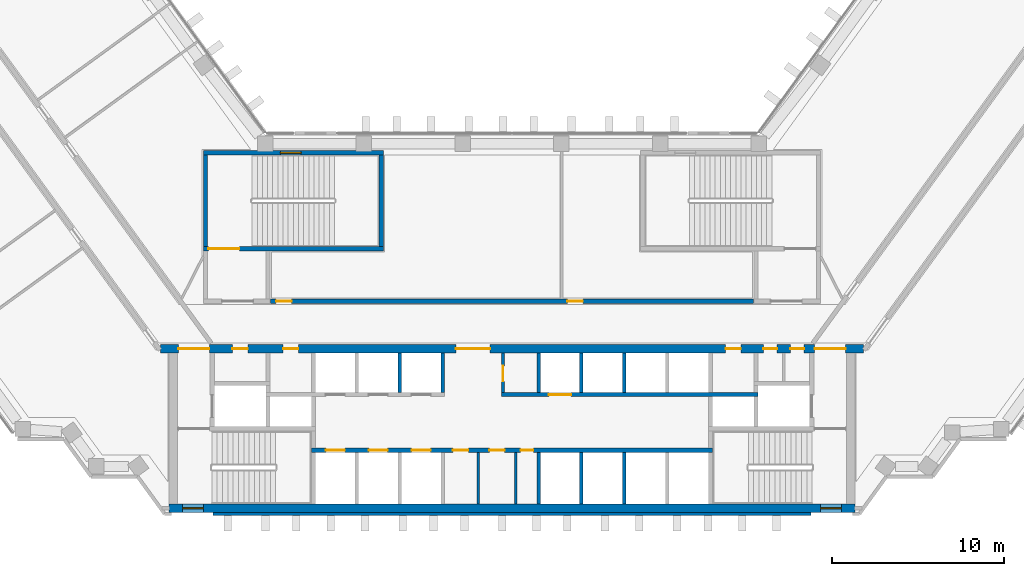
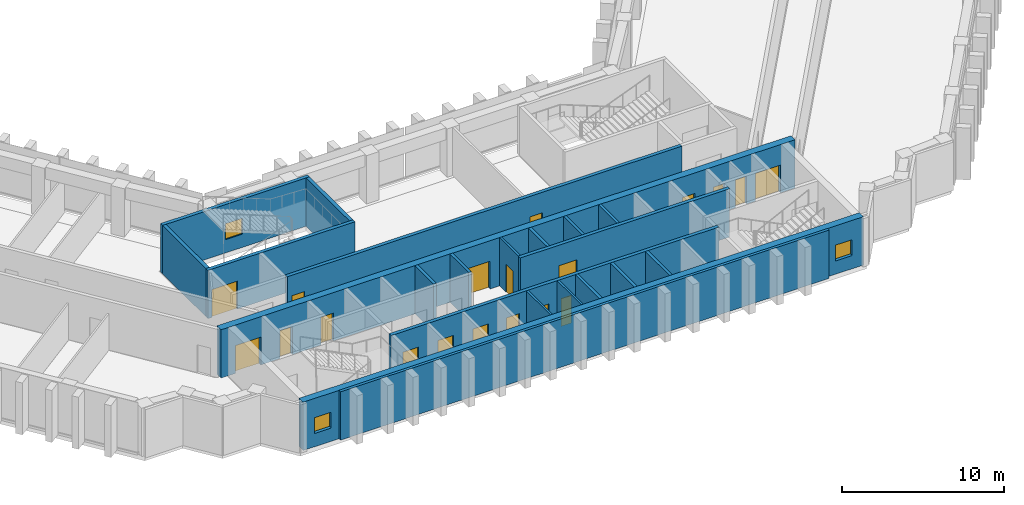
# One storey, part 7 of 13: 21 walls, 19 doors, 3 windows, 22 openings.
"""IFC4 building model written with IfcOpenShell, lengths in metres."""

from ifc_helpers import new_model, si_unit, direction, frame, frame_2d, origin, place, context, subcontext, project, spatial, rectangle, extrude, material, layer, layer_set, type_object, element, fill, save


model = new_model("IFC4")

# Units and contexts
model_context = context("Model", 3, precision=1e-05, world=origin(), true_north=direction((0.0, 1.0)))
body_context = subcontext(model_context, "Body", "Model", "MODEL_VIEW")
ifc_project = project(units=[si_unit("LENGTHUNIT", "METRE"), si_unit("AREAUNIT", "SQUARE_METRE"), si_unit("VOLUMEUNIT", "CUBIC_METRE"), si_unit("PLANEANGLEUNIT", "RADIAN"), si_unit("MASSUNIT", "GRAM", prefix="KILO")], contexts=[model_context])

# Site, building, storey
site_placement = place(None, origin())
site = spatial("IfcSite", under=ifc_project, at=site_placement, CompositionType="ELEMENT")
building_placement = place(site_placement, origin())
building = spatial("IfcBuilding", under=site, at=building_placement, Name="Quipu Civic Tower", CompositionType="ELEMENT")
storey_placement = place(building_placement, frame((0.0, 0.0, 85.0)))
storey = spatial("IfcBuildingStorey", under=building, at=storey_placement, Name="L19", CompositionType="ELEMENT", Elevation=85.0)

# Wall, openings, doors
ifc_material_1 = material(Name="Concrete C70/85", Category="concrete")
ifc_layer_1 = layer(ifc_material_1, 0.25)
ifc_layer_set_1 = layer_set([ifc_layer_1], Name="Concrete C70/85")
wall_type_1 = type_object("IfcWallType", Name="Core wall 250", PredefinedType="SHEAR", material=ifc_layer_set_1)
wall_1_placement = place(storey_placement, frame((11.699951171875, -7.375, 0.0), z_axis=(0.0, 0.0, 1.0), x_axis=(-1.0, 0.0, 0.0)))
wall_1 = element("IfcWall", 1, at=wall_1_placement, inside=storey, type_object=wall_type_1, Name="Core wall", PredefinedType="SHEAR", context=body_context, shape_type="SweptSolid", body=[
    extrude(rectangle(XDim=23.39990234375, YDim=0.25, at=frame_2d((11.699951171875, 0.0))), origin(), (0.0, 0.0, 1.0), 3.64990234375),
])
opening_1_placement = place(wall_1_placement, frame((21.449951171875, 0.0, 0.0)))
opening_1 = element("IfcOpeningElement", 2, at=opening_1_placement, cuts=wall_1, Name="Opening LD-LL1", PredefinedType="OPENING", context=body_context, shape_type="SweptSolid", body=[
    extrude(rectangle(XDim=1.10009765625, YDim=2.10009765625, at=frame_2d((0.550048828125, 1.050048828125))), frame((0.0, 0.135009765625, 0.0), z_axis=(0.0, -1.0, 0.0), x_axis=(1.0, 0.0, 0.0)), (0.0, 0.0, 1.0), 0.27001953125),
])
opening_2_placement = place(wall_1_placement, frame((18.949951171875, 0.0, 0.0)))
opening_2 = element("IfcOpeningElement", 3, at=opening_2_placement, cuts=wall_1, Name="Opening LD-LL2", PredefinedType="OPENING", context=body_context, shape_type="SweptSolid", body=[
    extrude(rectangle(XDim=1.10009765625, YDim=2.10009765625, at=frame_2d((0.550048828125, 1.050048828125))), frame((0.0, 0.135009765625, 0.0), z_axis=(0.0, -1.0, 0.0), x_axis=(1.0, 0.0, 0.0)), (0.0, 0.0, 1.0), 0.27001953125),
])
opening_3_placement = place(wall_1_placement, frame((16.449951171875, 0.0, 0.0)))
opening_3 = element("IfcOpeningElement", 4, at=opening_3_placement, cuts=wall_1, Name="Opening LD-LL3", PredefinedType="OPENING", context=body_context, shape_type="SweptSolid", body=[
    extrude(rectangle(XDim=1.10009765625, YDim=2.10009765625, at=frame_2d((0.550048828125, 1.050048828125))), frame((0.0, 0.135009765625, 0.0), z_axis=(0.0, -1.0, 0.0), x_axis=(1.0, 0.0, 0.0)), (0.0, 0.0, 1.0), 0.27001953125),
])
opening_4_placement = place(wall_1_placement, frame((14.25, 0.0, 0.0)))
opening_4 = element("IfcOpeningElement", 5, at=opening_4_placement, cuts=wall_1, Name="Opening CD-01", PredefinedType="OPENING", context=body_context, shape_type="SweptSolid", body=[
    extrude(rectangle(XDim=0.89990234375, YDim=2.10009765625, at=frame_2d((0.449951171875, 1.050048828125))), frame((0.0, 0.135009765625, 0.0), z_axis=(0.0, -1.0, 0.0), x_axis=(1.0, 0.0, 0.0)), (0.0, 0.0, 1.0), 0.27001953125),
])
opening_5_placement = place(wall_1_placement, frame((12.125, 0.0, 0.0)))
opening_5 = element("IfcOpeningElement", 6, at=opening_5_placement, cuts=wall_1, Name="Opening CD-02", PredefinedType="OPENING", context=body_context, shape_type="SweptSolid", body=[
    extrude(rectangle(XDim=0.89990234375, YDim=2.10009765625, at=frame_2d((0.449951171875, 1.050048828125))), frame((0.0, 0.135009765625, 0.0), z_axis=(0.0, -1.0, 0.0), x_axis=(1.0, 0.0, 0.0)), (0.0, 0.0, 1.0), 0.27001953125),
])
opening_6_placement = place(wall_1_placement, frame((10.449951171875, 0.0, 0.0)))
opening_6 = element("IfcOpeningElement", 7, at=opening_6_placement, cuts=wall_1, Name="Opening CD-03", PredefinedType="OPENING", context=body_context, shape_type="SweptSolid", body=[
    extrude(rectangle(XDim=0.75, YDim=2.10009765625, at=frame_2d((0.375, 1.050048828125))), frame((0.0, 0.135009765625, 0.0), z_axis=(0.0, -1.0, 0.0), x_axis=(1.0, 0.0, 0.0)), (0.0, 0.0, 1.0), 0.27001953125),
])
ifc_material_2 = material(Name="Fire rated steel door", Category="steel")
door_type_1 = type_object("IfcDoorType", Name="Fire door FD60 750 x 2100", OperationType="NOTDEFINED", PredefinedType="DOOR", material=ifc_material_2)
door_1_placement = place(opening_6_placement, origin())
door_1 = element("IfcDoor", 8, at=door_1_placement, inside=storey, type_object=door_type_1, Name="Door", OperationType="SINGLE_SWING_LEFT", OverallHeight=2.10009765625, OverallWidth=0.75, PredefinedType="DOOR", context=body_context, shape_type="SweptSolid", body=[
    extrude(rectangle(XDim=0.75, YDim=2.10009765625, at=frame_2d((0.375, 1.050048828125))), frame((0.0, 0.02490234375, 0.0), z_axis=(0.0, -1.0, 0.0), x_axis=(1.0, 0.0, 0.0)), (0.0, 0.0, 1.0), 0.050048828125),
])
fill(opening_6, door_1)
ifc_material_3 = material(Name="Fire rated steel door", Category="steel")
door_type_2 = type_object("IfcDoorType", Name="Fire door FD60 900 x 2100", OperationType="NOTDEFINED", PredefinedType="DOOR", material=ifc_material_3)
door_2_placement = place(opening_4_placement, origin())
door_2 = element("IfcDoor", 9, at=door_2_placement, inside=storey, type_object=door_type_2, Name="WC door", OperationType="SINGLE_SWING_RIGHT", OverallHeight=2.10009765625, OverallWidth=0.89990234375, PredefinedType="DOOR", context=body_context, shape_type="SweptSolid", body=[
    extrude(rectangle(XDim=0.89990234375, YDim=2.10009765625, at=frame_2d((0.449951171875, 1.050048828125))), frame((0.0, 0.02490234375, 0.0), z_axis=(0.0, -1.0, 0.0), x_axis=(1.0, 0.0, 0.0)), (0.0, 0.0, 1.0), 0.050048828125),
])
fill(opening_4, door_2)
door_3_placement = place(opening_5_placement, origin())
door_3 = element("IfcDoor", 10, at=door_3_placement, inside=storey, type_object=door_type_2, Name="WC door", OperationType="SINGLE_SWING_RIGHT", OverallHeight=2.10009765625, OverallWidth=0.89990234375, PredefinedType="DOOR", context=body_context, shape_type="SweptSolid", body=[
    extrude(rectangle(XDim=0.89990234375, YDim=2.10009765625, at=frame_2d((0.449951171875, 1.050048828125))), frame((0.0, 0.02490234375, 0.0), z_axis=(0.0, -1.0, 0.0), x_axis=(1.0, 0.0, 0.0)), (0.0, 0.0, 1.0), 0.050048828125),
])
fill(opening_5, door_3)
ifc_material_4 = material(Name="Stainless steel", Category="steel")
door_type_3 = type_object("IfcDoorType", Name="Lift landing door 1100 x 2100", OperationType="DOUBLE_DOOR_SLIDING", PredefinedType="DOOR", material=ifc_material_4)
door_4_placement = place(opening_1_placement, origin())
door_4 = element("IfcDoor", 11, at=door_4_placement, inside=storey, type_object=door_type_3, Name="Landing door LL1", OperationType="DOUBLE_DOOR_SLIDING", OverallHeight=2.10009765625, OverallWidth=1.10009765625, PredefinedType="DOOR", context=body_context, shape_type="SweptSolid", body=[
    extrude(rectangle(XDim=1.10009765625, YDim=2.10009765625, at=frame_2d((0.550048828125, 1.050048828125))), frame((0.0, 0.02490234375, 0.0), z_axis=(0.0, -1.0, 0.0), x_axis=(1.0, 0.0, 0.0)), (0.0, 0.0, 1.0), 0.050048828125),
])
fill(opening_1, door_4)
door_5_placement = place(opening_2_placement, origin())
door_5 = element("IfcDoor", 12, at=door_5_placement, inside=storey, type_object=door_type_3, Name="Landing door LL2", OperationType="DOUBLE_DOOR_SLIDING", OverallHeight=2.10009765625, OverallWidth=1.10009765625, PredefinedType="DOOR", context=body_context, shape_type="SweptSolid", body=[
    extrude(rectangle(XDim=1.10009765625, YDim=2.10009765625, at=frame_2d((0.550048828125, 1.050048828125))), frame((0.0, 0.02490234375, 0.0), z_axis=(0.0, -1.0, 0.0), x_axis=(1.0, 0.0, 0.0)), (0.0, 0.0, 1.0), 0.050048828125),
])
fill(opening_2, door_5)
door_6_placement = place(opening_3_placement, origin())
door_6 = element("IfcDoor", 13, at=door_6_placement, inside=storey, type_object=door_type_3, Name="Landing door LL3", OperationType="DOUBLE_DOOR_SLIDING", OverallHeight=2.10009765625, OverallWidth=1.10009765625, PredefinedType="DOOR", context=body_context, shape_type="SweptSolid", body=[
    extrude(rectangle(XDim=1.10009765625, YDim=2.10009765625, at=frame_2d((0.550048828125, 1.050048828125))), frame((0.0, 0.02490234375, 0.0), z_axis=(0.0, -1.0, 0.0), x_axis=(1.0, 0.0, 0.0)), (0.0, 0.0, 1.0), 0.050048828125),
])
fill(opening_3, door_6)

# Wall, opening, door
wall_2_placement = place(storey_placement, frame((-0.60009765625, -4.125, 0.0), z_axis=(0.0, 0.0, 1.0), x_axis=(1.0, 0.0, 0.0)))
wall_2 = element("IfcWall", 14, at=wall_2_placement, inside=storey, type_object=wall_type_1, Name="Core wall", PredefinedType="SHEAR", context=body_context, shape_type="SweptSolid", body=[
    extrude(rectangle(XDim=14.9501953125, YDim=0.25, at=frame_2d((7.47509765625, 0.0))), origin(), (0.0, 0.0, 1.0), 3.64990234375),
])
opening_7_placement = place(wall_2_placement, frame((2.75, 0.0, 0.0)))
opening_7 = element("IfcOpeningElement", 15, at=opening_7_placement, cuts=wall_2, Name="Opening LD-FF3", PredefinedType="OPENING", context=body_context, shape_type="SweptSolid", body=[
    extrude(rectangle(XDim=1.300048828125, YDim=2.10009765625, at=frame_2d((0.64990234375, 1.050048828125))), frame((0.0, 0.135009765625, 0.0), z_axis=(0.0, -1.0, 0.0), x_axis=(1.0, 0.0, 0.0)), (0.0, 0.0, 1.0), 0.27001953125),
])
ifc_material_5 = material(Name="Stainless steel", Category="steel")
door_type_4 = type_object("IfcDoorType", Name="Lift landing door 1300 x 2100", OperationType="DOUBLE_DOOR_SLIDING", PredefinedType="DOOR", material=ifc_material_5)
door_7_placement = place(opening_7_placement, origin())
door_7 = element("IfcDoor", 16, at=door_7_placement, inside=storey, type_object=door_type_4, Name="Landing door FF3", OperationType="DOUBLE_DOOR_SLIDING", OverallHeight=2.10009765625, OverallWidth=1.300048828125, PredefinedType="DOOR", context=body_context, shape_type="SweptSolid", body=[
    extrude(rectangle(XDim=1.300048828125, YDim=2.10009765625, at=frame_2d((0.64990234375, 1.050048828125))), frame((0.0, 0.02490234375, 0.0), z_axis=(0.0, -1.0, 0.0), x_axis=(1.0, 0.0, 0.0)), (0.0, 0.0, 1.0), 0.050048828125),
])
fill(opening_7, door_7)

wall_3_placement = place(storey_placement, frame((-18.0, 4.375, 0.0), z_axis=(0.0, 0.0, 1.0), x_axis=(1.0, 0.0, 0.0)))
wall_3 = element("IfcWall", 17, at=wall_3_placement, inside=storey, type_object=wall_type_1, Name="Core wall", PredefinedType="SHEAR", context=body_context, shape_type="SweptSolid", body=[
    extrude(rectangle(XDim=10.5, YDim=0.25, at=frame_2d((5.25, 0.0))), origin(), (0.0, 0.0, 1.0), 3.64990234375),
])
opening_8_placement = place(wall_3_placement, frame((0.300048828125, 0.0, 0.0)))
opening_8 = element("IfcOpeningElement", 18, at=opening_8_placement, cuts=wall_3, Name="Opening CD-16", PredefinedType="OPENING", context=body_context, shape_type="SweptSolid", body=[
    extrude(rectangle(XDim=1.800048828125, YDim=2.10009765625, at=frame_2d((0.89990234375, 1.050048828125))), frame((0.0, 0.135009765625, 0.0), z_axis=(0.0, -1.0, 0.0), x_axis=(1.0, 0.0, 0.0)), (0.0, 0.0, 1.0), 0.27001953125),
])
ifc_material_6 = material(Name="Fire rated steel door", Category="steel")
door_type_5 = type_object("IfcDoorType", Name="Fire door FD90 double 1800 x 2100", OperationType="NOTDEFINED", PredefinedType="DOOR", material=ifc_material_6)
door_8_placement = place(opening_8_placement, origin())
door_8 = element("IfcDoor", 19, at=door_8_placement, inside=storey, type_object=door_type_5, Name="Door", OperationType="DOUBLE_DOOR_SINGLE_SWING", OverallHeight=2.10009765625, OverallWidth=1.800048828125, PredefinedType="DOOR", context=body_context, shape_type="SweptSolid", body=[
    extrude(rectangle(XDim=1.800048828125, YDim=2.10009765625, at=frame_2d((0.89990234375, 1.050048828125))), frame((0.0, 0.02490234375, 0.0), z_axis=(0.0, -1.0, 0.0), x_axis=(1.0, 0.0, 0.0)), (0.0, 0.0, 1.0), 0.050048828125),
])
fill(opening_8, door_8)

# Walls
for number, where, z_axis, x_axis, name in (
    (20, (-17.875, 4.5, 0.0), (0.0, 0.0, 1.0), (0.0, 1.0, 0.0), "Core wall"),
    (21, (-7.625, 4.5, 0.0), (0.0, 0.0, 1.0), (0.0, 1.0, 0.0), "Core wall"),
):
    element("IfcWall", number, at=place(storey_placement, frame(where, z_axis=z_axis, x_axis=x_axis)), inside=storey, type_object=wall_type_1, Name=name, PredefinedType="SHEAR", context=body_context, shape_type="SweptSolid", body=[
        extrude(rectangle(XDim=5.35009765625, YDim=0.25, at=frame_2d((2.675048828125, 0.0))), origin(), (0.0, 0.0, 1.0), 3.64990234375),
    ])

# Wall, opening, window
wall_4_placement = place(storey_placement, frame((-18.0, 9.97509765625, 0.0), z_axis=(0.0, 0.0, 1.0), x_axis=(1.0, 0.0, 0.0)))
wall_4 = element("IfcWall", 22, at=wall_4_placement, inside=storey, type_object=wall_type_1, Name="Core wall", PredefinedType="SHEAR", context=body_context, shape_type="SweptSolid", body=[
    extrude(rectangle(XDim=10.5, YDim=0.25, at=frame_2d((5.25, 0.0))), origin(), (0.0, 0.0, 1.0), 3.64990234375),
])
opening_9_placement = place(wall_4_placement, frame((4.5, 0.0, 1.0)))
opening_9 = element("IfcOpeningElement", 23, at=opening_9_placement, cuts=wall_4, Name="Opening SV-3", PredefinedType="OPENING", context=body_context, shape_type="SweptSolid", body=[
    extrude(rectangle(XDim=1.199951171875, YDim=1.199951171875, at=frame_2d((0.60009765625, 0.60009765625))), frame((0.0, 0.135009765625, 0.0), z_axis=(0.0, -1.0, 0.0), x_axis=(1.0, 0.0, 0.0)), (0.0, 0.0, 1.0), 0.27001953125),
])
ifc_material_7 = material(Name="Aluminium louvre", Category="aluminium")
window_type = type_object("IfcWindowType", Name="Stair ventilation louvre 1200 x 1200", PartitioningType="SINGLE_PANEL", PredefinedType="WINDOW", material=ifc_material_7)
window_1_placement = place(opening_9_placement, origin())
window_1 = element("IfcWindow", 24, at=window_1_placement, inside=storey, type_object=window_type, Name="Stair ventilation opening", OverallHeight=1.199951171875, OverallWidth=1.199951171875, PartitioningType="SINGLE_PANEL", PredefinedType="WINDOW", context=body_context, shape_type="SweptSolid", body=[
    extrude(rectangle(XDim=1.199951171875, YDim=1.199951171875, at=frame_2d((0.60009765625, 0.60009765625))), frame((0.0, 0.030029296875, 0.0), z_axis=(0.0, -1.0, 0.0), x_axis=(1.0, 0.0, 0.0)), (0.0, 0.0, 1.0), 0.06005859375),
])
fill(opening_9, window_1)

# Wall, openings, windows
ifc_material_8 = material(Name="Concrete C70/85", Category="concrete")
ifc_layer_2 = layer(ifc_material_8, 0.5)
ifc_layer_set_2 = layer_set([ifc_layer_2], Name="Concrete C70/85")
wall_type_2 = type_object("IfcWallType", Name="Core wall 500", PredefinedType="SHEAR", material=ifc_layer_set_2)
wall_5_placement = place(storey_placement, frame((-20.0, -10.75, 0.0), z_axis=(0.0, 0.0, 1.0), x_axis=(1.0, 0.0, 0.0)))
wall_5 = element("IfcWall", 25, at=wall_5_placement, inside=storey, type_object=wall_type_2, Name="Core wall", PredefinedType="SHEAR", context=body_context, shape_type="SweptSolid", body=[
    extrude(rectangle(XDim=40.0, YDim=0.5, at=frame_2d((20.0, 0.0))), origin(), (0.0, 0.0, 1.0), 3.64990234375),
])
opening_10_placement = place(wall_5_placement, frame((0.800048828125, 0.0, 1.0)))
opening_10 = element("IfcOpeningElement", 26, at=opening_10_placement, cuts=wall_5, Name="Opening SV-1", PredefinedType="OPENING", context=body_context, shape_type="SweptSolid", body=[
    extrude(rectangle(XDim=1.199951171875, YDim=1.199951171875, at=frame_2d((0.60009765625, 0.60009765625))), frame((0.0, 0.260009765625, 0.0), z_axis=(0.0, -1.0, 0.0), x_axis=(1.0, 0.0, 0.0)), (0.0, 0.0, 1.0), 0.52001953125),
])
opening_11_placement = place(wall_5_placement, frame((38.0, 0.0, 1.0)))
opening_11 = element("IfcOpeningElement", 27, at=opening_11_placement, cuts=wall_5, Name="Opening SV-2", PredefinedType="OPENING", context=body_context, shape_type="SweptSolid", body=[
    extrude(rectangle(XDim=1.199951171875, YDim=1.199951171875, at=frame_2d((0.60009765625, 0.60009765625))), frame((0.0, 0.260009765625, 0.0), z_axis=(0.0, -1.0, 0.0), x_axis=(1.0, 0.0, 0.0)), (0.0, 0.0, 1.0), 0.52001953125),
])
window_2_placement = place(opening_10_placement, origin())
window_2 = element("IfcWindow", 28, at=window_2_placement, inside=storey, type_object=window_type, Name="Stair ventilation opening", OverallHeight=1.199951171875, OverallWidth=1.199951171875, PartitioningType="SINGLE_PANEL", PredefinedType="WINDOW", context=body_context, shape_type="SweptSolid", body=[
    extrude(rectangle(XDim=1.199951171875, YDim=1.199951171875, at=frame_2d((0.60009765625, 0.60009765625))), frame((0.0, 0.030029296875, 0.0), z_axis=(0.0, -1.0, 0.0), x_axis=(1.0, 0.0, 0.0)), (0.0, 0.0, 1.0), 0.06005859375),
])
fill(opening_10, window_2)
window_3_placement = place(opening_11_placement, origin())
window_3 = element("IfcWindow", 29, at=window_3_placement, inside=storey, type_object=window_type, Name="Stair ventilation opening", OverallHeight=1.199951171875, OverallWidth=1.199951171875, PartitioningType="SINGLE_PANEL", PredefinedType="WINDOW", context=body_context, shape_type="SweptSolid", body=[
    extrude(rectangle(XDim=1.199951171875, YDim=1.199951171875, at=frame_2d((0.60009765625, 0.60009765625))), frame((0.0, 0.030029296875, 0.0), z_axis=(0.0, -1.0, 0.0), x_axis=(1.0, 0.0, 0.0)), (0.0, 0.0, 1.0), 0.06005859375),
])
fill(opening_11, window_3)

# Wall, openings, doors
wall_6_placement = place(storey_placement, frame((20.489990234375, -1.449951171875, 0.0), z_axis=(0.0, 0.0, 1.0), x_axis=(-1.0, 0.0, 0.0)))
wall_6 = element("IfcWall", 30, at=wall_6_placement, inside=storey, type_object=wall_type_2, Name="Core wall", PredefinedType="SHEAR", context=body_context, shape_type="SweptSolid", body=[
    extrude(rectangle(XDim=40.97998046875, YDim=0.5, at=frame_2d((20.489990234375, 0.0))), origin(), (0.0, 0.0, 1.0), 3.64990234375),
])
opening_12_placement = place(wall_6_placement, frame((38.139892578125, 0.0, 0.0)))
opening_12 = element("IfcOpeningElement", 31, at=opening_12_placement, cuts=wall_6, Name="Opening CD-07", PredefinedType="OPENING", context=body_context, shape_type="SweptSolid", body=[
    extrude(rectangle(XDim=1.800048828125, YDim=2.10009765625, at=frame_2d((0.89990234375, 1.050048828125))), frame((0.0, 0.260009765625, 0.0), z_axis=(0.0, -1.0, 0.0), x_axis=(1.0, 0.0, 0.0)), (0.0, 0.0, 1.0), 0.52001953125),
])
opening_13_placement = place(wall_6_placement, frame((35.889892578125, 0.0, 0.0)))
opening_13 = element("IfcOpeningElement", 32, at=opening_13_placement, cuts=wall_6, Name="Opening CD-08", PredefinedType="OPENING", context=body_context, shape_type="SweptSolid", body=[
    extrude(rectangle(XDim=0.89990234375, YDim=2.10009765625, at=frame_2d((0.449951171875, 1.050048828125))), frame((0.0, 0.260009765625, 0.0), z_axis=(0.0, -1.0, 0.0), x_axis=(1.0, 0.0, 0.0)), (0.0, 0.0, 1.0), 0.52001953125),
])
opening_14_placement = place(wall_6_placement, frame((32.93994140625, 0.0, 0.0)))
opening_14 = element("IfcOpeningElement", 33, at=opening_14_placement, cuts=wall_6, Name="Opening CD-09", PredefinedType="OPENING", context=body_context, shape_type="SweptSolid", body=[
    extrude(rectangle(XDim=0.89990234375, YDim=2.10009765625, at=frame_2d((0.449951171875, 1.050048828125))), frame((0.0, 0.260009765625, 0.0), z_axis=(0.0, -1.0, 0.0), x_axis=(1.0, 0.0, 0.0)), (0.0, 0.0, 1.0), 0.52001953125),
])
opening_15_placement = place(wall_6_placement, frame((21.764892578125, 0.0, 0.0)))
opening_15 = element("IfcOpeningElement", 34, at=opening_15_placement, cuts=wall_6, Name="Opening CD-10", PredefinedType="OPENING", context=body_context, shape_type="SweptSolid", body=[
    extrude(rectangle(XDim=2.0, YDim=2.10009765625, at=frame_2d((1.0, 1.050048828125))), frame((0.0, 0.260009765625, 0.0), z_axis=(0.0, -1.0, 0.0), x_axis=(1.0, 0.0, 0.0)), (0.0, 0.0, 1.0), 0.52001953125),
])
opening_16_placement = place(wall_6_placement, frame((7.139892578125, 0.0, 0.0)))
opening_16 = element("IfcOpeningElement", 35, at=opening_16_placement, cuts=wall_6, Name="Opening CD-11", PredefinedType="OPENING", context=body_context, shape_type="SweptSolid", body=[
    extrude(rectangle(XDim=0.89990234375, YDim=2.10009765625, at=frame_2d((0.449951171875, 1.050048828125))), frame((0.0, 0.260009765625, 0.0), z_axis=(0.0, -1.0, 0.0), x_axis=(1.0, 0.0, 0.0)), (0.0, 0.0, 1.0), 0.52001953125),
])
opening_17_placement = place(wall_6_placement, frame((5.027587890625, 0.0, 0.0)))
opening_17 = element("IfcOpeningElement", 36, at=opening_17_placement, cuts=wall_6, Name="Opening CD-12", PredefinedType="OPENING", context=body_context, shape_type="SweptSolid", body=[
    extrude(rectangle(XDim=0.800048828125, YDim=2.10009765625, at=frame_2d((0.39990234375, 1.050048828125))), frame((0.0, 0.260009765625, 0.0), z_axis=(0.0, -1.0, 0.0), x_axis=(1.0, 0.0, 0.0)), (0.0, 0.0, 1.0), 0.52001953125),
])
opening_18_placement = place(wall_6_placement, frame((3.452392578125, 0.0, 0.0)))
opening_18 = element("IfcOpeningElement", 37, at=opening_18_placement, cuts=wall_6, Name="Opening CD-13", PredefinedType="OPENING", context=body_context, shape_type="SweptSolid", body=[
    extrude(rectangle(XDim=0.800048828125, YDim=2.10009765625, at=frame_2d((0.39990234375, 1.050048828125))), frame((0.0, 0.260009765625, 0.0), z_axis=(0.0, -1.0, 0.0), x_axis=(1.0, 0.0, 0.0)), (0.0, 0.0, 1.0), 0.52001953125),
])
opening_19_placement = place(wall_6_placement, frame((1.0400390625, 0.0, 0.0)))
opening_19 = element("IfcOpeningElement", 38, at=opening_19_placement, cuts=wall_6, Name="Opening CD-14", PredefinedType="OPENING", context=body_context, shape_type="SweptSolid", body=[
    extrude(rectangle(XDim=1.800048828125, YDim=2.10009765625, at=frame_2d((0.89990234375, 1.050048828125))), frame((0.0, 0.260009765625, 0.0), z_axis=(0.0, -1.0, 0.0), x_axis=(1.0, 0.0, 0.0)), (0.0, 0.0, 1.0), 0.52001953125),
])
ifc_material_9 = material(Name="Fire rated steel door", Category="steel")
door_type_6 = type_object("IfcDoorType", Name="Fire door FD60 800 x 2100", OperationType="NOTDEFINED", PredefinedType="DOOR", material=ifc_material_9)
door_9_placement = place(opening_17_placement, origin())
door_9 = element("IfcDoor", 39, at=door_9_placement, inside=storey, type_object=door_type_6, Name="Door", OperationType="SINGLE_SWING_LEFT", OverallHeight=2.10009765625, OverallWidth=0.800048828125, PredefinedType="DOOR", context=body_context, shape_type="SweptSolid", body=[
    extrude(rectangle(XDim=0.800048828125, YDim=2.10009765625, at=frame_2d((0.39990234375, 1.050048828125))), frame((0.0, 0.02490234375, 0.0), z_axis=(0.0, -1.0, 0.0), x_axis=(1.0, 0.0, 0.0)), (0.0, 0.0, 1.0), 0.050048828125),
])
fill(opening_17, door_9)
door_10_placement = place(opening_18_placement, origin())
door_10 = element("IfcDoor", 40, at=door_10_placement, inside=storey, type_object=door_type_6, Name="Door", OperationType="SINGLE_SWING_LEFT", OverallHeight=2.10009765625, OverallWidth=0.800048828125, PredefinedType="DOOR", context=body_context, shape_type="SweptSolid", body=[
    extrude(rectangle(XDim=0.800048828125, YDim=2.10009765625, at=frame_2d((0.39990234375, 1.050048828125))), frame((0.0, 0.02490234375, 0.0), z_axis=(0.0, -1.0, 0.0), x_axis=(1.0, 0.0, 0.0)), (0.0, 0.0, 1.0), 0.050048828125),
])
fill(opening_18, door_10)
door_11_placement = place(opening_13_placement, origin())
door_11 = element("IfcDoor", 41, at=door_11_placement, inside=storey, type_object=door_type_2, Name="Door", OperationType="SINGLE_SWING_RIGHT", OverallHeight=2.10009765625, OverallWidth=0.89990234375, PredefinedType="DOOR", context=body_context, shape_type="SweptSolid", body=[
    extrude(rectangle(XDim=0.89990234375, YDim=2.10009765625, at=frame_2d((0.449951171875, 1.050048828125))), frame((0.0, 0.02490234375, 0.0), z_axis=(0.0, -1.0, 0.0), x_axis=(1.0, 0.0, 0.0)), (0.0, 0.0, 1.0), 0.050048828125),
])
fill(opening_13, door_11)
door_12_placement = place(opening_14_placement, origin())
door_12 = element("IfcDoor", 42, at=door_12_placement, inside=storey, type_object=door_type_2, Name="Riser door", OperationType="SINGLE_SWING_RIGHT", OverallHeight=2.10009765625, OverallWidth=0.89990234375, PredefinedType="DOOR", context=body_context, shape_type="SweptSolid", body=[
    extrude(rectangle(XDim=0.89990234375, YDim=2.10009765625, at=frame_2d((0.449951171875, 1.050048828125))), frame((0.0, 0.02490234375, 0.0), z_axis=(0.0, -1.0, 0.0), x_axis=(1.0, 0.0, 0.0)), (0.0, 0.0, 1.0), 0.050048828125),
])
fill(opening_14, door_12)
door_13_placement = place(opening_16_placement, origin())
door_13 = element("IfcDoor", 43, at=door_13_placement, inside=storey, type_object=door_type_2, Name="Riser door", OperationType="SINGLE_SWING_LEFT", OverallHeight=2.10009765625, OverallWidth=0.89990234375, PredefinedType="DOOR", context=body_context, shape_type="SweptSolid", body=[
    extrude(rectangle(XDim=0.89990234375, YDim=2.10009765625, at=frame_2d((0.449951171875, 1.050048828125))), frame((0.0, 0.02490234375, 0.0), z_axis=(0.0, -1.0, 0.0), x_axis=(1.0, 0.0, 0.0)), (0.0, 0.0, 1.0), 0.050048828125),
])
fill(opening_16, door_13)
door_14_placement = place(opening_12_placement, origin())
door_14 = element("IfcDoor", 44, at=door_14_placement, inside=storey, type_object=door_type_5, Name="Lobby door", OperationType="DOUBLE_DOOR_SINGLE_SWING", OverallHeight=2.10009765625, OverallWidth=1.800048828125, PredefinedType="DOOR", context=body_context, shape_type="SweptSolid", body=[
    extrude(rectangle(XDim=1.800048828125, YDim=2.10009765625, at=frame_2d((0.89990234375, 1.050048828125))), frame((0.0, 0.02490234375, 0.0), z_axis=(0.0, -1.0, 0.0), x_axis=(1.0, 0.0, 0.0)), (0.0, 0.0, 1.0), 0.050048828125),
])
fill(opening_12, door_14)
door_15_placement = place(opening_19_placement, origin())
door_15 = element("IfcDoor", 45, at=door_15_placement, inside=storey, type_object=door_type_5, Name="Lobby door", OperationType="DOUBLE_DOOR_SINGLE_SWING", OverallHeight=2.10009765625, OverallWidth=1.800048828125, PredefinedType="DOOR", context=body_context, shape_type="SweptSolid", body=[
    extrude(rectangle(XDim=1.800048828125, YDim=2.10009765625, at=frame_2d((0.89990234375, 1.050048828125))), frame((0.0, 0.02490234375, 0.0), z_axis=(0.0, -1.0, 0.0), x_axis=(1.0, 0.0, 0.0)), (0.0, 0.0, 1.0), 0.050048828125),
])
fill(opening_19, door_15)
ifc_material_10 = material(Name="Fire rated steel door", Category="steel")
door_type_7 = type_object("IfcDoorType", Name="Fire door FD90 double 2000 x 2100", OperationType="NOTDEFINED", PredefinedType="DOOR", material=ifc_material_10)
door_16_placement = place(opening_15_placement, origin())
door_16 = element("IfcDoor", 46, at=door_16_placement, inside=storey, type_object=door_type_7, Name="Lobby door", OperationType="DOUBLE_DOOR_SINGLE_SWING", OverallHeight=2.10009765625, OverallWidth=2.0, PredefinedType="DOOR", context=body_context, shape_type="SweptSolid", body=[
    extrude(rectangle(XDim=2.0, YDim=2.10009765625, at=frame_2d((1.0, 1.050048828125))), frame((0.0, 0.02490234375, 0.0), z_axis=(0.0, -1.0, 0.0), x_axis=(1.0, 0.0, 0.0)), (0.0, 0.0, 1.0), 0.050048828125),
])
fill(opening_15, door_16)

ifc_material_11 = material(Name="Concrete C50/60", Category="concrete")
ifc_layer_3 = layer(ifc_material_11, 0.25)
ifc_layer_set_3 = layer_set([ifc_layer_3], Name="Concrete C50/60")
wall_type_3 = type_object("IfcWallType", Name="Corridor wall 250 concrete", PredefinedType="SOLIDWALL", material=ifc_layer_set_3)
wall_7_placement = place(storey_placement, frame((-14.090087890625, 1.324951171875, 0.0), z_axis=(0.0, 0.0, 1.0), x_axis=(1.0, 0.0, 0.0)))
wall_7 = element("IfcWall", 47, at=wall_7_placement, inside=storey, type_object=wall_type_3, Name="Corridor wall C04", PredefinedType="SOLIDWALL", context=body_context, shape_type="SweptSolid", body=[
    extrude(rectangle(XDim=28.18017578125, YDim=0.25, at=frame_2d((14.090087890625, 0.0))), origin(), (0.0, 0.0, 1.0), 3.64990234375),
])
opening_20_placement = place(wall_7_placement, frame((17.319091796875, 0.0, 0.0)))
opening_20 = element("IfcOpeningElement", 48, at=opening_20_placement, cuts=wall_7, Name="Opening D007", PredefinedType="OPENING", context=body_context, shape_type="SweptSolid", body=[
    extrude(rectangle(XDim=0.89990234375, YDim=2.10009765625, at=frame_2d((0.449951171875, 1.050048828125))), frame((0.0, 0.135009765625, 0.0), z_axis=(0.0, -1.0, 0.0), x_axis=(1.0, 0.0, 0.0)), (0.0, 0.0, 1.0), 0.27001953125),
])
opening_21_placement = place(wall_7_placement, frame((0.340087890625, 0.0, 0.0)))
opening_21 = element("IfcOpeningElement", 49, at=opening_21_placement, cuts=wall_7, Name="Opening D006", PredefinedType="OPENING", context=body_context, shape_type="SweptSolid", body=[
    extrude(rectangle(XDim=0.89990234375, YDim=2.10009765625, at=frame_2d((0.449951171875, 1.050048828125))), frame((0.0, 0.135009765625, 0.0), z_axis=(0.0, -1.0, 0.0), x_axis=(1.0, 0.0, 0.0)), (0.0, 0.0, 1.0), 0.27001953125),
])
ifc_material_12 = material(Name="Fire rated timber door set with metal frame", Category="wood")
door_type_8 = type_object("IfcDoorType", Name="Single door 900 x 2100 FD60", OperationType="NOTDEFINED", PredefinedType="DOOR", material=ifc_material_12)
door_17_placement = place(opening_20_placement, origin())
door_17 = element("IfcDoor", 50, at=door_17_placement, inside=storey, type_object=door_type_8, Name="Door D007", OperationType="SINGLE_SWING_LEFT", OverallHeight=2.10009765625, OverallWidth=0.89990234375, PredefinedType="DOOR", context=body_context, shape_type="SweptSolid", body=[
    extrude(rectangle(XDim=0.89990234375, YDim=2.10009765625, at=frame_2d((0.449951171875, 1.050048828125))), frame((0.0, 0.02490234375, 0.0), z_axis=(0.0, -1.0, 0.0), x_axis=(1.0, 0.0, 0.0)), (0.0, 0.0, 1.0), 0.050048828125),
])
fill(opening_20, door_17)
door_18_placement = place(opening_21_placement, origin())
door_18 = element("IfcDoor", 51, at=door_18_placement, inside=storey, type_object=door_type_8, Name="Door D006", OperationType="SINGLE_SWING_LEFT", OverallHeight=2.10009765625, OverallWidth=0.89990234375, PredefinedType="DOOR", context=body_context, shape_type="SweptSolid", body=[
    extrude(rectangle(XDim=0.89990234375, YDim=2.10009765625, at=frame_2d((0.449951171875, 1.050048828125))), frame((0.0, 0.02490234375, 0.0), z_axis=(0.0, -1.0, 0.0), x_axis=(1.0, 0.0, 0.0)), (0.0, 0.0, 1.0), 0.050048828125),
])
fill(opening_21, door_18)

# Walls
ifc_material_13 = material(Name="Gypsum board partition")
ifc_layer_4 = layer(ifc_material_13, 0.14990234375)
ifc_layer_set_4 = layer_set([ifc_layer_4], Name="Gypsum board partition")
wall_type_4 = type_object("IfcWallType", Name="Partition 150", PredefinedType="PARTITIONING", material=ifc_layer_set_4)
for number, where, z_axis, x_axis, name in (
    (52, (-1.97509765625, -10.5, 0.0), (0.0, 0.0, 1.0), (0.0, 1.0, 0.0), "Partition"),
    (53, (0.22509765625, -10.5, 0.0), (0.0, 0.0, 1.0), (0.0, 1.0, 0.0), "Partition"),
):
    element("IfcWall", number, at=place(storey_placement, frame(where, z_axis=z_axis, x_axis=x_axis)), inside=storey, type_object=wall_type_4, Name=name, PredefinedType="PARTITIONING", context=body_context, shape_type="SweptSolid", body=[
        extrude(rectangle(XDim=3.0, YDim=0.14990234375, at=frame_2d((1.5, 0.0))), origin(), (0.0, 0.0, 1.0), 3.64990234375),
    ])

# Wall, opening, door
wall_8_placement = place(storey_placement, frame((-0.52490234375, -4.0, 0.0), z_axis=(0.0, 0.0, 1.0), x_axis=(0.0, 1.0, 0.0)))
wall_8 = element("IfcWall", 54, at=wall_8_placement, inside=storey, type_object=wall_type_4, Name="Partition", PredefinedType="PARTITIONING", context=body_context, shape_type="SweptSolid", body=[
    extrude(rectangle(XDim=2.300048828125, YDim=0.14990234375, at=frame_2d((1.14990234375, 0.0))), origin(), (0.0, 0.0, 1.0), 3.64990234375),
])
opening_22_placement = place(wall_8_placement, frame((0.64990234375, 0.0, 0.0)))
opening_22 = element("IfcOpeningElement", 55, at=opening_22_placement, cuts=wall_8, Name="Opening CD-06", PredefinedType="OPENING", context=body_context, shape_type="SweptSolid", body=[
    extrude(rectangle(XDim=0.89990234375, YDim=2.10009765625, at=frame_2d((0.449951171875, 1.050048828125))), frame((0.0, 0.0849609375, 0.0), z_axis=(0.0, -1.0, 0.0), x_axis=(1.0, 0.0, 0.0)), (0.0, 0.0, 1.0), 0.169921875),
])
door_19_placement = place(opening_22_placement, origin())
door_19 = element("IfcDoor", 56, at=door_19_placement, inside=storey, type_object=door_type_2, Name="WC door", OperationType="SINGLE_SWING_LEFT", OverallHeight=2.10009765625, OverallWidth=0.89990234375, PredefinedType="DOOR", context=body_context, shape_type="SweptSolid", body=[
    extrude(rectangle(XDim=0.89990234375, YDim=2.10009765625, at=frame_2d((0.449951171875, 1.050048828125))), frame((0.0, 0.02490234375, 0.0), z_axis=(0.0, -1.0, 0.0), x_axis=(1.0, 0.0, 0.0)), (0.0, 0.0, 1.0), 0.050048828125),
])
fill(opening_22, door_19)

# Walls
ifc_material_14 = material(Name="Precast concrete C40/50", Category="concrete")
wall_type_5 = type_object("IfcWallType", Name="Precast cladding wall", PredefinedType="SOLIDWALL", material=ifc_material_14)
wall_9_placement = place(storey_placement, frame((-17.44384765625, -11.087890625, 0.0), z_axis=(0.0, 0.0, 1.0), x_axis=(1.0, 0.0, 0.0)))
element("IfcWall", 57, at=wall_9_placement, inside=storey, type_object=wall_type_5, Name="Precast cladding wall L19 33", PredefinedType="SOLIDWALL", context=body_context, shape_type="SweptSolid", body=[
    extrude(rectangle(XDim=34.8876953125, YDim=0.199951171875, at=frame_2d((17.44384765625, 0.0))), origin(), (0.0, 0.0, 1.0), 3.64990234375),
])
ifc_material_15 = material(Name="Concrete C40/50", Category="concrete")
ifc_layer_5 = layer(ifc_material_15, 0.199951171875)
ifc_layer_set_5 = layer_set([ifc_layer_5], Name="Concrete C40/50")
wall_type_6 = type_object("IfcWallType", Name="Shaft wall 200", PredefinedType="SOLIDWALL", material=ifc_layer_set_5)
for number, where, z_axis, x_axis, name in (
    (58, (1.550048828125, -10.5, 0.0), (0.0, 0.0, 1.0), (0.0, 1.0, 0.0), "Shaft wall"),
    (59, (4.050048828125, -10.5, 0.0), (0.0, 0.0, 1.0), (0.0, 1.0, 0.0), "Shaft wall"),
    (60, (6.550048828125, -10.5, 0.0), (0.0, 0.0, 1.0), (0.0, 1.0, 0.0), "Shaft wall"),
):
    element("IfcWall", number, at=place(storey_placement, frame(where, z_axis=z_axis, x_axis=x_axis)), inside=storey, type_object=wall_type_6, Name=name, PredefinedType="SOLIDWALL", context=body_context, shape_type="SweptSolid", body=[
        extrude(rectangle(XDim=3.0, YDim=0.199951171875, at=frame_2d((1.5, 0.0))), origin(), (0.0, 0.0, 1.0), 3.64990234375),
    ])
for number, where, z_axis, x_axis, name in (
    (61, (-6.550048828125, -4.0, 0.0), (0.0, 0.0, 1.0), (0.0, 1.0, 0.0), "Shaft wall"),
    (62, (-4.050048828125, -4.0, 0.0), (0.0, 0.0, 1.0), (0.0, 1.0, 0.0), "Shaft wall"),
    (63, (1.550048828125, -4.0, 0.0), (0.0, 0.0, 1.0), (0.0, 1.0, 0.0), "Shaft wall"),
    (64, (4.050048828125, -4.0, 0.0), (0.0, 0.0, 1.0), (0.0, 1.0, 0.0), "Shaft wall"),
    (65, (6.550048828125, -4.0, 0.0), (0.0, 0.0, 1.0), (0.0, 1.0, 0.0), "Shaft wall"),
):
    element("IfcWall", number, at=place(storey_placement, frame(where, z_axis=z_axis, x_axis=x_axis)), inside=storey, type_object=wall_type_6, Name=name, PredefinedType="SOLIDWALL", context=body_context, shape_type="SweptSolid", body=[
        extrude(rectangle(XDim=2.300048828125, YDim=0.199951171875, at=frame_2d((1.14990234375, 0.0))), origin(), (0.0, 0.0, 1.0), 3.64990234375),
    ])

save(model, "model.ifc")
